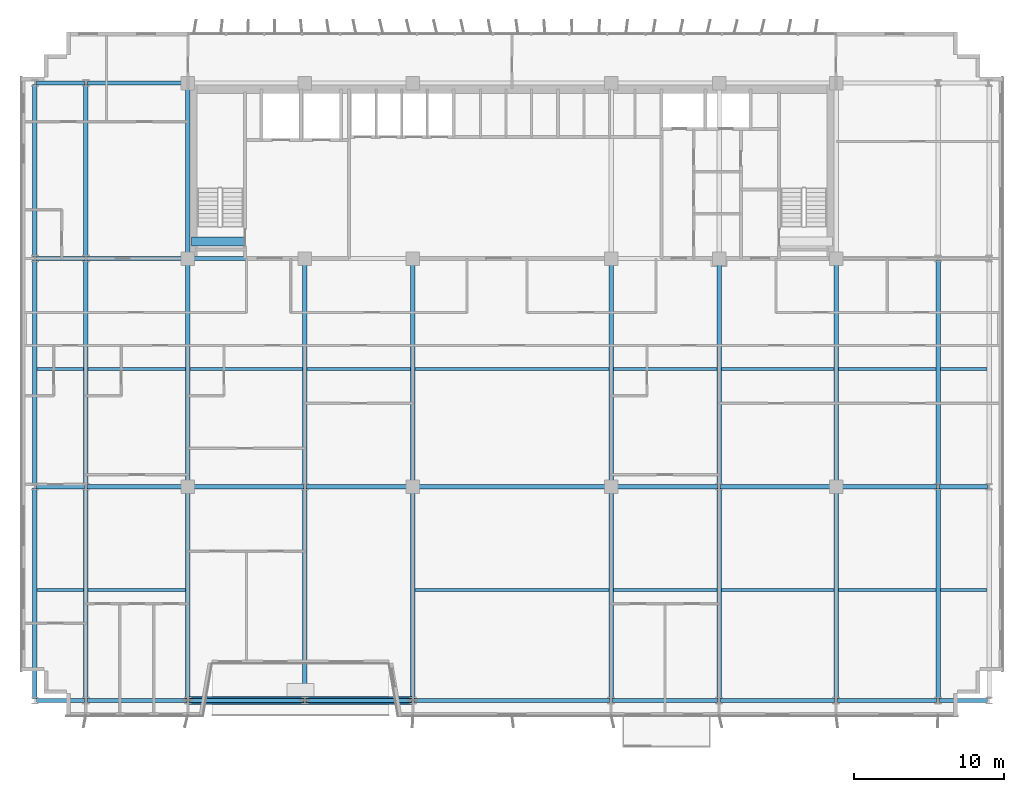
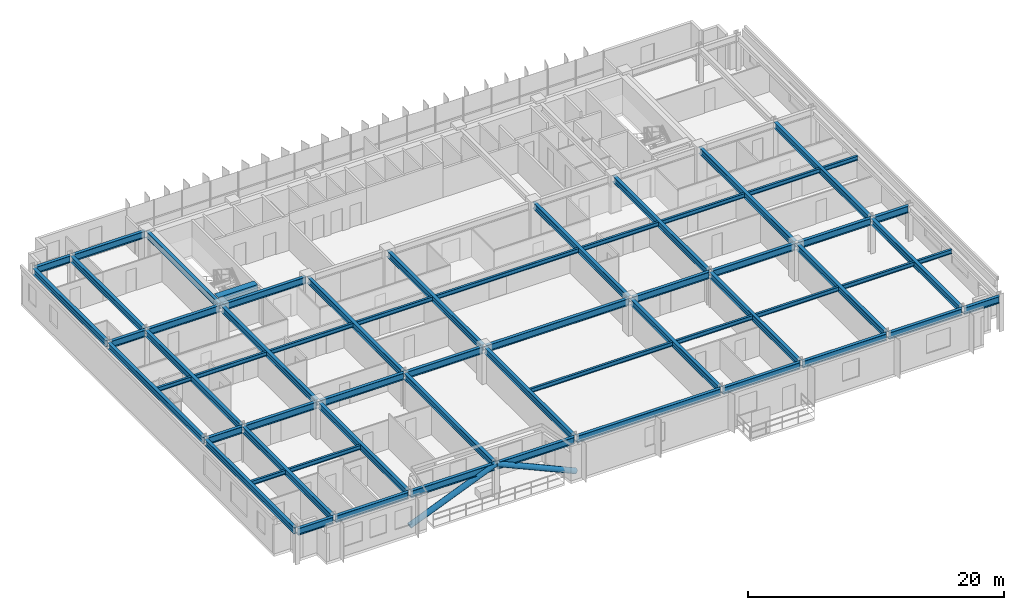
# One storey, part 4 of 23: 61 beams, 2 members.
"""IFC4 building model written with IfcOpenShell, lengths in metres."""

from ifc_helpers import new_model, si_unit, direction, frame, origin, origin_2d, place, context, subcontext, project, spatial, rectangle, hollow_circle, i_section, extrude, source, transform, mapped, material, material_profile, profile_set, type_object, element, save


model = new_model("IFC4")

# Units and contexts
model_context = context("Model", 3, precision=1e-05, world=origin(), true_north=direction((0.0, 1.0)))
body_context = subcontext(model_context, "Body", "Model", "MODEL_VIEW")
ifc_project = project(units=[si_unit("LENGTHUNIT", "METRE"), si_unit("AREAUNIT", "SQUARE_METRE"), si_unit("VOLUMEUNIT", "CUBIC_METRE"), si_unit("PLANEANGLEUNIT", "RADIAN"), si_unit("MASSUNIT", "GRAM", prefix="KILO")], contexts=[model_context])

# Site, building, storey
site_placement = place(None, origin())
site = spatial("IfcSite", under=ifc_project, at=site_placement, CompositionType="ELEMENT")
building_placement = place(site_placement, origin())
building = spatial("IfcBuilding", under=site, at=building_placement, Name="Trelvane Seafront Commons", CompositionType="ELEMENT")
storey_placement = place(building_placement, frame((0.0, 0.0, 63.10009765625)))
storey = spatial("IfcBuildingStorey", under=building, at=storey_placement, Name="L16", CompositionType="ELEMENT", Elevation=63.10009765625)

# Beams
ifc_material_1 = material(Name="Concrete C60/75", Category="concrete")
ifc_material_profile_1 = material_profile(ifc_material_1, rectangle(XDim=0.60009765625, YDim=0.89990234375, at=origin_2d()), Name="RC-600x900")
ifc_profile_set_1 = profile_set([ifc_material_profile_1], Name="Concrete C60/75")
beam_type_1 = type_object("IfcBeamType", Name="STR-LNT-RC600x900", PredefinedType="LINTEL", material=ifc_profile_set_1)
shared_shape_1 = source(origin(), body_context, "Body", "SweptSolid", [
    extrude(rectangle(XDim=0.60009765625, YDim=0.89990234375, at=origin_2d()), origin(), (0.0, 0.0, 1.0), 3.5498046875),
])
beam_1_placement = place(storey_placement, frame((15.85009765625, 34.550048828125, 2.889892578125), z_axis=(1.0, 0.0, 0.0), x_axis=(0.0, 1.0, 0.0)))
element("IfcBeam", 1, at=beam_1_placement, inside=storey, type_object=beam_type_1, Name="L16 Core Coupling Lintel Beam CB-83", PredefinedType="LINTEL", context=body_context, shape_type="MappedRepresentation", body=[
    mapped(shared_shape_1, transform((0.0, 0.0, 0.0), x_axis=(1.0, 0.0, 0.0), y_axis=(0.0, 1.0, 0.0), z_axis=(0.0, 0.0, 1.0), scale=1.0)),
])
ifc_material_2 = material(Name="Steel SM355 (S355)", Category="steel")
ifc_material_profile_2 = material_profile(ifc_material_2, i_section(OverallWidth=0.280029296875, OverallDepth=0.64990234375, WebThickness=0.012939453125, FlangeThickness=0.02197265625, at=origin_2d()), Name="H-650x280x13x22")
ifc_profile_set_2 = profile_set([ifc_material_profile_2], Name="Steel SM355 (S355)")
beam_type_2 = type_object("IfcBeamType", Name="STR-BM-H650", PredefinedType="BEAM", material=ifc_profile_set_2)
shared_shape_2 = source(origin(), body_context, "Body", "SweptSolid", [
    extrude(i_section(OverallWidth=0.280029296875, OverallDepth=0.64990234375, WebThickness=0.012939453125, FlangeThickness=0.02197265625, at=origin_2d()), origin(), (0.0, 0.0, 1.0), 3.190185546875),
])
for number, where, z_axis, x_axis, name in (
    (2, (5.5048828125, 3.949951171875, 3.014892578125), (1.0, 0.0, 0.0), (0.0, 1.0, 0.0), "L16 Primary Girder G-01"),
    (3, (5.5048828125, 18.199951171875, 3.014892578125), (1.0, 0.0, 0.0), (0.0, 1.0, 0.0), "L16 Primary Girder G-10"),
    (4, (5.5048828125, 33.39990234375, 3.014892578125), (1.0, 0.0, 0.0), (0.0, 1.0, 0.0), "L16 Primary Girder G-19"),
    (5, (5.5048828125, 45.10009765625, 3.014892578125), (1.0, 0.0, 0.0), (0.0, 1.0, 0.0), "L16 Primary Girder G-28"),
):
    element("IfcBeam", number, at=place(storey_placement, frame(where, z_axis=z_axis, x_axis=x_axis)), inside=storey, type_object=beam_type_2, Name=name, PredefinedType="BEAM", context=body_context, shape_type="MappedRepresentation", body=[
        mapped(shared_shape_2, transform((0.0, 0.0, 0.0), x_axis=(1.0, 0.0, 0.0), y_axis=(0.0, 1.0, 0.0), z_axis=(0.0, 0.0, 1.0), scale=1.0)),
    ])
shared_shape_3 = source(origin(), body_context, "Body", "SweptSolid", [
    extrude(i_section(OverallWidth=0.280029296875, OverallDepth=0.64990234375, WebThickness=0.012939453125, FlangeThickness=0.02197265625, at=origin_2d()), origin(), (0.0, 0.0, 1.0), 6.590087890625),
])
for number, where, z_axis, x_axis, name in (
    (6, (8.905029296875, 3.949951171875, 3.014892578125), (1.0, 0.0, 0.0), (0.0, 1.0, 0.0), "L16 Primary Girder G-02"),
    (7, (58.905029296875, 3.949951171875, 3.014892578125), (1.0, 0.0, 0.0), (0.0, 1.0, 0.0), "L16 Primary Girder G-08"),
):
    element("IfcBeam", number, at=place(storey_placement, frame(where, z_axis=z_axis, x_axis=x_axis)), inside=storey, type_object=beam_type_2, Name=name, PredefinedType="BEAM", context=body_context, shape_type="MappedRepresentation", body=[
        mapped(shared_shape_3, transform((0.0, 0.0, 0.0), x_axis=(1.0, 0.0, 0.0), y_axis=(0.0, 1.0, 0.0), z_axis=(0.0, 0.0, 1.0), scale=1.0)),
    ])
shared_shape_4 = source(origin(), body_context, "Body", "SweptSolid", [
    extrude(i_section(OverallWidth=0.280029296875, OverallDepth=0.64990234375, WebThickness=0.012939453125, FlangeThickness=0.02197265625, at=origin_2d()), origin(), (0.0, 0.0, 1.0), 7.58984375),
])
beam_2_placement = place(storey_placement, frame((15.705078125, 3.949951171875, 3.014892578125), z_axis=(1.0, 0.0, 0.0), x_axis=(0.0, 1.0, 0.0)))
element("IfcBeam", 8, at=beam_2_placement, inside=storey, type_object=beam_type_2, Name="L16 Primary Girder G-03", PredefinedType="BEAM", context=body_context, shape_type="MappedRepresentation", body=[
    mapped(shared_shape_4, transform((0.0, 0.0, 0.0), x_axis=(1.0, 0.0, 0.0), y_axis=(0.0, 1.0, 0.0), z_axis=(0.0, 0.0, 1.0), scale=1.0)),
])
shared_shape_5 = source(origin(), body_context, "Body", "SweptSolid", [
    extrude(i_section(OverallWidth=0.280029296875, OverallDepth=0.64990234375, WebThickness=0.012939453125, FlangeThickness=0.02197265625, at=origin_2d()), origin(), (0.0, 0.0, 1.0), 6.990234375),
])
beam_3_placement = place(storey_placement, frame((23.5048828125, 3.949951171875, 3.014892578125), z_axis=(1.0, 0.0, 0.0), x_axis=(0.0, 1.0, 0.0)))
element("IfcBeam", 9, at=beam_3_placement, inside=storey, type_object=beam_type_2, Name="L16 Primary Girder G-04", PredefinedType="BEAM", context=body_context, shape_type="MappedRepresentation", body=[
    mapped(shared_shape_5, transform((0.0, 0.0, 0.0), x_axis=(1.0, 0.0, 0.0), y_axis=(0.0, 1.0, 0.0), z_axis=(0.0, 0.0, 1.0), scale=1.0)),
])
shared_shape_6 = source(origin(), body_context, "Body", "SweptSolid", [
    extrude(i_section(OverallWidth=0.280029296875, OverallDepth=0.64990234375, WebThickness=0.012939453125, FlangeThickness=0.02197265625, at=origin_2d()), origin(), (0.0, 0.0, 1.0), 12.989990234375),
])
beam_4_placement = place(storey_placement, frame((30.705078125, 3.949951171875, 3.014892578125), z_axis=(1.0, 0.0, 0.0), x_axis=(0.0, 1.0, 0.0)))
element("IfcBeam", 10, at=beam_4_placement, inside=storey, type_object=beam_type_2, Name="L16 Primary Girder G-05", PredefinedType="BEAM", context=body_context, shape_type="MappedRepresentation", body=[
    mapped(shared_shape_6, transform((0.0, 0.0, 0.0), x_axis=(1.0, 0.0, 0.0), y_axis=(0.0, 1.0, 0.0), z_axis=(0.0, 0.0, 1.0), scale=1.0)),
])
shared_shape_7 = source(origin(), body_context, "Body", "SweptSolid", [
    extrude(i_section(OverallWidth=0.280029296875, OverallDepth=0.64990234375, WebThickness=0.012939453125, FlangeThickness=0.02197265625, at=origin_2d()), origin(), (0.0, 0.0, 1.0), 6.989990234375),
])
beam_5_placement = place(storey_placement, frame((43.905029296875, 3.949951171875, 3.014892578125), z_axis=(1.0, 0.0, 0.0), x_axis=(0.0, 1.0, 0.0)))
element("IfcBeam", 11, at=beam_5_placement, inside=storey, type_object=beam_type_2, Name="L16 Primary Girder G-06", PredefinedType="BEAM", context=body_context, shape_type="MappedRepresentation", body=[
    mapped(shared_shape_7, transform((0.0, 0.0, 0.0), x_axis=(1.0, 0.0, 0.0), y_axis=(0.0, 1.0, 0.0), z_axis=(0.0, 0.0, 1.0), scale=1.0)),
])
shared_shape_8 = source(origin(), body_context, "Body", "SweptSolid", [
    extrude(i_section(OverallWidth=0.280029296875, OverallDepth=0.64990234375, WebThickness=0.012939453125, FlangeThickness=0.02197265625, at=origin_2d()), origin(), (0.0, 0.0, 1.0), 7.590087890625),
])
beam_6_placement = place(storey_placement, frame((51.10498046875, 3.949951171875, 3.014892578125), z_axis=(1.0, 0.0, 0.0), x_axis=(0.0, 1.0, 0.0)))
element("IfcBeam", 12, at=beam_6_placement, inside=storey, type_object=beam_type_2, Name="L16 Primary Girder G-07", PredefinedType="BEAM", context=body_context, shape_type="MappedRepresentation", body=[
    mapped(shared_shape_8, transform((0.0, 0.0, 0.0), x_axis=(1.0, 0.0, 0.0), y_axis=(0.0, 1.0, 0.0), z_axis=(0.0, 0.0, 1.0), scale=1.0)),
])
shared_shape_9 = source(origin(), body_context, "Body", "SweptSolid", [
    extrude(i_section(OverallWidth=0.280029296875, OverallDepth=0.64990234375, WebThickness=0.012939453125, FlangeThickness=0.02197265625, at=origin_2d()), origin(), (0.0, 0.0, 1.0), 3.18994140625),
])
for number, where, z_axis, x_axis, name in (
    (13, (65.705078125, 3.949951171875, 3.014892578125), (1.0, 0.0, 0.0), (0.0, 1.0, 0.0), "L16 Primary Girder G-09"),
    (14, (65.705078125, 18.199951171875, 3.014892578125), (1.0, 0.0, 0.0), (0.0, 1.0, 0.0), "L16 Primary Girder G-18"),
):
    element("IfcBeam", number, at=place(storey_placement, frame(where, z_axis=z_axis, x_axis=x_axis)), inside=storey, type_object=beam_type_2, Name=name, PredefinedType="BEAM", context=body_context, shape_type="MappedRepresentation", body=[
        mapped(shared_shape_9, transform((0.0, 0.0, 0.0), x_axis=(1.0, 0.0, 0.0), y_axis=(0.0, 1.0, 0.0), z_axis=(0.0, 0.0, 1.0), scale=1.0)),
    ])
shared_shape_10 = source(origin(), body_context, "Body", "SweptSolid", [
    extrude(i_section(OverallWidth=0.280029296875, OverallDepth=0.64990234375, WebThickness=0.012939453125, FlangeThickness=0.02197265625, at=origin_2d()), origin(), (0.0, 0.0, 1.0), 6.544921875),
])
for number, where, z_axis, x_axis, name in (
    (15, (8.905029296875, 18.199951171875, 3.014892578125), (1.0, 0.0, 0.0), (0.0, 1.0, 0.0), "L16 Primary Girder G-11"),
    (16, (8.905029296875, 33.39990234375, 3.014892578125), (1.0, 0.0, 0.0), (0.0, 1.0, 0.0), "L16 Primary Girder G-20"),
    (17, (8.905029296875, 45.10009765625, 3.014892578125), (1.0, 0.0, 0.0), (0.0, 1.0, 0.0), "L16 Primary Girder G-29"),
):
    element("IfcBeam", number, at=place(storey_placement, frame(where, z_axis=z_axis, x_axis=x_axis)), inside=storey, type_object=beam_type_2, Name=name, PredefinedType="BEAM", context=body_context, shape_type="MappedRepresentation", body=[
        mapped(shared_shape_10, transform((0.0, 0.0, 0.0), x_axis=(1.0, 0.0, 0.0), y_axis=(0.0, 1.0, 0.0), z_axis=(0.0, 0.0, 1.0), scale=1.0)),
    ])
shared_shape_11 = source(origin(), body_context, "Body", "SweptSolid", [
    extrude(i_section(OverallWidth=0.280029296875, OverallDepth=0.64990234375, WebThickness=0.012939453125, FlangeThickness=0.02197265625, at=origin_2d()), origin(), (0.0, 0.0, 1.0), 7.544921875),
])
for number, where, z_axis, x_axis, name in (
    (18, (15.75, 18.199951171875, 3.014892578125), (1.0, 0.0, 0.0), (0.0, 1.0, 0.0), "L16 Primary Girder G-12"),
    (19, (51.10498046875, 18.199951171875, 3.014892578125), (1.0, 0.0, 0.0), (0.0, 1.0, 0.0), "L16 Primary Girder G-16"),
):
    element("IfcBeam", number, at=place(storey_placement, frame(where, z_axis=z_axis, x_axis=x_axis)), inside=storey, type_object=beam_type_2, Name=name, PredefinedType="BEAM", context=body_context, shape_type="MappedRepresentation", body=[
        mapped(shared_shape_11, transform((0.0, 0.0, 0.0), x_axis=(1.0, 0.0, 0.0), y_axis=(0.0, 1.0, 0.0), z_axis=(0.0, 0.0, 1.0), scale=1.0)),
    ])
shared_shape_12 = source(origin(), body_context, "Body", "SweptSolid", [
    extrude(i_section(OverallWidth=0.280029296875, OverallDepth=0.64990234375, WebThickness=0.012939453125, FlangeThickness=0.02197265625, at=origin_2d()), origin(), (0.0, 0.0, 1.0), 6.945068359375),
])
for number, where, z_axis, x_axis, name in (
    (20, (23.5048828125, 18.199951171875, 3.014892578125), (1.0, 0.0, 0.0), (0.0, 1.0, 0.0), "L16 Primary Girder G-13"),
    (21, (43.949951171875, 18.199951171875, 3.014892578125), (1.0, 0.0, 0.0), (0.0, 1.0, 0.0), "L16 Primary Girder G-15"),
):
    element("IfcBeam", number, at=place(storey_placement, frame(where, z_axis=z_axis, x_axis=x_axis)), inside=storey, type_object=beam_type_2, Name=name, PredefinedType="BEAM", context=body_context, shape_type="MappedRepresentation", body=[
        mapped(shared_shape_12, transform((0.0, 0.0, 0.0), x_axis=(1.0, 0.0, 0.0), y_axis=(0.0, 1.0, 0.0), z_axis=(0.0, 0.0, 1.0), scale=1.0)),
    ])
shared_shape_13 = source(origin(), body_context, "Body", "SweptSolid", [
    extrude(i_section(OverallWidth=0.280029296875, OverallDepth=0.64990234375, WebThickness=0.012939453125, FlangeThickness=0.02197265625, at=origin_2d()), origin(), (0.0, 0.0, 1.0), 12.89990234375),
])
beam_7_placement = place(storey_placement, frame((30.75, 18.199951171875, 3.014892578125), z_axis=(1.0, 0.0, 0.0), x_axis=(0.0, 1.0, 0.0)))
element("IfcBeam", 22, at=beam_7_placement, inside=storey, type_object=beam_type_2, Name="L16 Primary Girder G-14", PredefinedType="BEAM", context=body_context, shape_type="MappedRepresentation", body=[
    mapped(shared_shape_13, transform((0.0, 0.0, 0.0), x_axis=(1.0, 0.0, 0.0), y_axis=(0.0, 1.0, 0.0), z_axis=(0.0, 0.0, 1.0), scale=1.0)),
])
shared_shape_14 = source(origin(), body_context, "Body", "SweptSolid", [
    extrude(i_section(OverallWidth=0.280029296875, OverallDepth=0.64990234375, WebThickness=0.012939453125, FlangeThickness=0.02197265625, at=origin_2d()), origin(), (0.0, 0.0, 1.0), 6.545166015625),
])
beam_8_placement = place(storey_placement, frame((58.949951171875, 18.199951171875, 3.014892578125), z_axis=(1.0, 0.0, 0.0), x_axis=(0.0, 1.0, 0.0)))
element("IfcBeam", 23, at=beam_8_placement, inside=storey, type_object=beam_type_2, Name="L16 Primary Girder G-17", PredefinedType="BEAM", context=body_context, shape_type="MappedRepresentation", body=[
    mapped(shared_shape_14, transform((0.0, 0.0, 0.0), x_axis=(1.0, 0.0, 0.0), y_axis=(0.0, 1.0, 0.0), z_axis=(0.0, 0.0, 1.0), scale=1.0)),
])
shared_shape_15 = source(origin(), body_context, "Body", "SweptSolid", [
    extrude(i_section(OverallWidth=0.280029296875, OverallDepth=0.64990234375, WebThickness=0.012939453125, FlangeThickness=0.02197265625, at=origin_2d()), origin(), (0.0, 0.0, 1.0), 7.5),
])
beam_9_placement = place(storey_placement, frame((15.75, 33.39990234375, 3.014892578125), z_axis=(1.0, 0.0, 0.0), x_axis=(0.0, 1.0, 0.0)))
element("IfcBeam", 24, at=beam_9_placement, inside=storey, type_object=beam_type_2, Name="L16 Primary Girder G-21", PredefinedType="BEAM", context=body_context, shape_type="MappedRepresentation", body=[
    mapped(shared_shape_15, transform((0.0, 0.0, 0.0), x_axis=(1.0, 0.0, 0.0), y_axis=(0.0, 1.0, 0.0), z_axis=(0.0, 0.0, 1.0), scale=1.0)),
])
ifc_material_profile_3 = material_profile(ifc_material_2, i_section(OverallWidth=0.300048828125, OverallDepth=0.587890625, WebThickness=0.011962890625, FlangeThickness=0.02001953125, at=origin_2d()), Name="H-588x300x12x20")
ifc_profile_set_3 = profile_set([ifc_material_profile_3], Name="Steel SM355 (S355)")
beam_type_3 = type_object("IfcBeamType", Name="STR-BM-H588", PredefinedType="BEAM", material=ifc_profile_set_3)
shared_shape_16 = source(origin(), body_context, "Body", "SweptSolid", [
    extrude(i_section(OverallWidth=0.300048828125, OverallDepth=0.587890625, WebThickness=0.011962890625, FlangeThickness=0.02001953125, at=origin_2d()), origin(), (0.0, 0.0, 1.0), 14.0400390625),
])
for number, where, z_axis, x_axis, name in (
    (25, (5.39990234375, 4.054931640625, 3.0458984375), (0.0, 1.0, 0.0), (-1.0, 0.0, 0.0), "L16 Primary Girder G-37"),
    (26, (8.800048828125, 4.054931640625, 3.0458984375), (0.0, 1.0, 0.0), (-1.0, 0.0, 0.0), "L16 Primary Girder G-40"),
    (27, (23.39990234375, 4.054931640625, 3.0458984375), (0.0, 1.0, 0.0), (-1.0, 0.0, 0.0), "L16 Primary Girder G-46"),
    (28, (51.0, 4.054931640625, 3.0458984375), (0.0, 1.0, 0.0), (-1.0, 0.0, 0.0), "L16 Primary Girder G-55"),
    (29, (65.60009765625, 4.054931640625, 3.0458984375), (0.0, 1.0, 0.0), (-1.0, 0.0, 0.0), "L16 Primary Girder G-61"),
):
    element("IfcBeam", number, at=place(storey_placement, frame(where, z_axis=z_axis, x_axis=x_axis)), inside=storey, type_object=beam_type_3, Name=name, PredefinedType="BEAM", context=body_context, shape_type="MappedRepresentation", body=[
        mapped(shared_shape_16, transform((0.0, 0.0, 0.0), x_axis=(1.0, 0.0, 0.0), y_axis=(0.0, 1.0, 0.0), z_axis=(0.0, 0.0, 1.0), scale=1.0)),
    ])
shared_shape_17 = source(origin(), body_context, "Body", "SweptSolid", [
    extrude(i_section(OverallWidth=0.300048828125, OverallDepth=0.587890625, WebThickness=0.011962890625, FlangeThickness=0.02001953125, at=origin_2d()), origin(), (0.0, 0.0, 1.0), 14.989990234375),
])
for number, where, z_axis, x_axis, name in (
    (30, (5.39990234375, 18.304931640625, 3.0458984375), (0.0, 1.0, 0.0), (-1.0, 0.0, 0.0), "L16 Primary Girder G-38"),
    (31, (8.800048828125, 18.304931640625, 3.0458984375), (0.0, 1.0, 0.0), (-1.0, 0.0, 0.0), "L16 Primary Girder G-41"),
    (32, (65.60009765625, 18.304931640625, 3.0458984375), (0.0, 1.0, 0.0), (-1.0, 0.0, 0.0), "L16 Primary Girder G-62"),
):
    element("IfcBeam", number, at=place(storey_placement, frame(where, z_axis=z_axis, x_axis=x_axis)), inside=storey, type_object=beam_type_3, Name=name, PredefinedType="BEAM", context=body_context, shape_type="MappedRepresentation", body=[
        mapped(shared_shape_17, transform((0.0, 0.0, 0.0), x_axis=(1.0, 0.0, 0.0), y_axis=(0.0, 1.0, 0.0), z_axis=(0.0, 0.0, 1.0), scale=1.0)),
    ])
shared_shape_18 = source(origin(), body_context, "Body", "SweptSolid", [
    extrude(i_section(OverallWidth=0.300048828125, OverallDepth=0.587890625, WebThickness=0.011962890625, FlangeThickness=0.02001953125, at=origin_2d()), origin(), (0.0, 0.0, 1.0), 11.490234375),
])
for number, where, z_axis, x_axis, name in (
    (33, (5.39990234375, 33.5048828125, 3.0458984375), (0.0, 1.0, 0.0), (-1.0, 0.0, 0.0), "L16 Primary Girder G-39"),
    (34, (8.800048828125, 33.5048828125, 3.0458984375), (0.0, 1.0, 0.0), (-1.0, 0.0, 0.0), "L16 Primary Girder G-42"),
):
    element("IfcBeam", number, at=place(storey_placement, frame(where, z_axis=z_axis, x_axis=x_axis)), inside=storey, type_object=beam_type_3, Name=name, PredefinedType="BEAM", context=body_context, shape_type="MappedRepresentation", body=[
        mapped(shared_shape_18, transform((0.0, 0.0, 0.0), x_axis=(1.0, 0.0, 0.0), y_axis=(0.0, 1.0, 0.0), z_axis=(0.0, 0.0, 1.0), scale=1.0)),
    ])
shared_shape_19 = source(origin(), body_context, "Body", "SweptSolid", [
    extrude(i_section(OverallWidth=0.300048828125, OverallDepth=0.587890625, WebThickness=0.011962890625, FlangeThickness=0.02001953125, at=origin_2d()), origin(), (0.0, 0.0, 1.0), 13.9951171875),
])
for number, where, z_axis, x_axis, name in (
    (35, (15.60009765625, 4.054931640625, 3.0458984375), (0.0, 1.0, 0.0), (-1.0, 0.0, 0.0), "L16 Primary Girder G-43"),
    (36, (30.60009765625, 4.054931640625, 3.0458984375), (0.0, 1.0, 0.0), (-1.0, 0.0, 0.0), "L16 Primary Girder G-49"),
    (37, (43.800048828125, 4.054931640625, 3.0458984375), (0.0, 1.0, 0.0), (-1.0, 0.0, 0.0), "L16 Primary Girder G-52"),
    (38, (58.800048828125, 4.054931640625, 3.0458984375), (0.0, 1.0, 0.0), (-1.0, 0.0, 0.0), "L16 Primary Girder G-58"),
):
    element("IfcBeam", number, at=place(storey_placement, frame(where, z_axis=z_axis, x_axis=x_axis)), inside=storey, type_object=beam_type_3, Name=name, PredefinedType="BEAM", context=body_context, shape_type="MappedRepresentation", body=[
        mapped(shared_shape_19, transform((0.0, 0.0, 0.0), x_axis=(1.0, 0.0, 0.0), y_axis=(0.0, 1.0, 0.0), z_axis=(0.0, 0.0, 1.0), scale=1.0)),
    ])
shared_shape_20 = source(origin(), body_context, "Body", "SweptSolid", [
    extrude(i_section(OverallWidth=0.300048828125, OverallDepth=0.587890625, WebThickness=0.011962890625, FlangeThickness=0.02001953125, at=origin_2d()), origin(), (0.0, 0.0, 1.0), 14.89990234375),
])
for number, where, z_axis, x_axis, name in (
    (39, (15.60009765625, 18.35009765625, 3.0458984375), (0.0, 1.0, 0.0), (-1.0, 0.0, 0.0), "L16 Primary Girder G-44"),
    (40, (30.60009765625, 18.35009765625, 3.0458984375), (0.0, 1.0, 0.0), (-1.0, 0.0, 0.0), "L16 Primary Girder G-50"),
    (41, (43.800048828125, 18.35009765625, 3.0458984375), (0.0, 1.0, 0.0), (-1.0, 0.0, 0.0), "L16 Primary Girder G-53"),
    (42, (58.800048828125, 18.35009765625, 3.0458984375), (0.0, 1.0, 0.0), (-1.0, 0.0, 0.0), "L16 Primary Girder G-59"),
):
    element("IfcBeam", number, at=place(storey_placement, frame(where, z_axis=z_axis, x_axis=x_axis)), inside=storey, type_object=beam_type_3, Name=name, PredefinedType="BEAM", context=body_context, shape_type="MappedRepresentation", body=[
        mapped(shared_shape_20, transform((0.0, 0.0, 0.0), x_axis=(1.0, 0.0, 0.0), y_axis=(0.0, 1.0, 0.0), z_axis=(0.0, 0.0, 1.0), scale=1.0)),
    ])
shared_shape_21 = source(origin(), body_context, "Body", "SweptSolid", [
    extrude(i_section(OverallWidth=0.300048828125, OverallDepth=0.587890625, WebThickness=0.011962890625, FlangeThickness=0.02001953125, at=origin_2d()), origin(), (0.0, 0.0, 1.0), 11.39990234375),
])
beam_10_placement = place(storey_placement, frame((15.60009765625, 33.550048828125, 3.0458984375), z_axis=(0.0, 1.0, 0.0), x_axis=(-1.0, 0.0, 0.0)))
element("IfcBeam", 43, at=beam_10_placement, inside=storey, type_object=beam_type_3, Name="L16 Primary Girder G-45", PredefinedType="BEAM", context=body_context, shape_type="MappedRepresentation", body=[
    mapped(shared_shape_21, transform((0.0, 0.0, 0.0), x_axis=(1.0, 0.0, 0.0), y_axis=(0.0, 1.0, 0.0), z_axis=(0.0, 0.0, 1.0), scale=1.0)),
])
shared_shape_22 = source(origin(), body_context, "Body", "SweptSolid", [
    extrude(i_section(OverallWidth=0.300048828125, OverallDepth=0.587890625, WebThickness=0.011962890625, FlangeThickness=0.02001953125, at=origin_2d()), origin(), (0.0, 0.0, 1.0), 14.945068359375),
])
for number, where, z_axis, x_axis, name in (
    (44, (23.39990234375, 18.304931640625, 3.0458984375), (0.0, 1.0, 0.0), (-1.0, 0.0, 0.0), "L16 Primary Girder G-47"),
    (45, (51.0, 18.304931640625, 3.0458984375), (0.0, 1.0, 0.0), (-1.0, 0.0, 0.0), "L16 Primary Girder G-56"),
):
    element("IfcBeam", number, at=place(storey_placement, frame(where, z_axis=z_axis, x_axis=x_axis)), inside=storey, type_object=beam_type_3, Name=name, PredefinedType="BEAM", context=body_context, shape_type="MappedRepresentation", body=[
        mapped(shared_shape_22, transform((0.0, 0.0, 0.0), x_axis=(1.0, 0.0, 0.0), y_axis=(0.0, 1.0, 0.0), z_axis=(0.0, 0.0, 1.0), scale=1.0)),
    ])
ifc_material_profile_4 = material_profile(ifc_material_2, i_section(OverallWidth=0.199951171875, OverallDepth=0.39990234375, WebThickness=0.008056640625, FlangeThickness=0.012939453125, at=origin_2d()), Name="H-400x200x8x13")
ifc_profile_set_4 = profile_set([ifc_material_profile_4], Name="Steel SM355 (S355)")
beam_type_4 = type_object("IfcBeamType", Name="STR-JST-H400", PredefinedType="JOIST", material=ifc_profile_set_4)
shared_shape_23 = source(origin(), body_context, "Body", "SweptSolid", [
    extrude(i_section(OverallWidth=0.199951171875, OverallDepth=0.39990234375, WebThickness=0.008056640625, FlangeThickness=0.012939453125, at=origin_2d()), origin(), (0.0, 0.0, 1.0), 3.099853515625),
])
for number, where, z_axis, x_axis, name in (
    (46, (5.550048828125, 11.324951171875, 3.139892578125), (1.0, 0.0, 0.0), (0.0, 1.0, 0.0), "L16 Secondary Floor Joist B-67"),
    (47, (5.550048828125, 26.050048828125, 3.139892578125), (1.0, 0.0, 0.0), (0.0, 1.0, 0.0), "L16 Secondary Floor Joist B-74"),
):
    element("IfcBeam", number, at=place(storey_placement, frame(where, z_axis=z_axis, x_axis=x_axis)), inside=storey, type_object=beam_type_4, Name=name, PredefinedType="JOIST", context=body_context, shape_type="MappedRepresentation", body=[
        mapped(shared_shape_23, transform((0.0, 0.0, 0.0), x_axis=(1.0, 0.0, 0.0), y_axis=(0.0, 1.0, 0.0), z_axis=(0.0, 0.0, 1.0), scale=1.0)),
    ])
shared_shape_24 = source(origin(), body_context, "Body", "SweptSolid", [
    extrude(i_section(OverallWidth=0.199951171875, OverallDepth=0.39990234375, WebThickness=0.008056640625, FlangeThickness=0.012939453125, at=origin_2d()), origin(), (0.0, 0.0, 1.0), 6.5),
])
for number, where, z_axis, x_axis, name in (
    (48, (8.949951171875, 11.324951171875, 3.139892578125), (1.0, 0.0, 0.0), (0.0, 1.0, 0.0), "L16 Secondary Floor Joist B-68"),
    (49, (58.949951171875, 11.324951171875, 3.139892578125), (1.0, 0.0, 0.0), (0.0, 1.0, 0.0), "L16 Secondary Floor Joist B-72"),
    (50, (8.949951171875, 26.050048828125, 3.139892578125), (1.0, 0.0, 0.0), (0.0, 1.0, 0.0), "L16 Secondary Floor Joist B-75"),
    (51, (58.949951171875, 26.050048828125, 3.139892578125), (1.0, 0.0, 0.0), (0.0, 1.0, 0.0), "L16 Secondary Floor Joist B-81"),
):
    element("IfcBeam", number, at=place(storey_placement, frame(where, z_axis=z_axis, x_axis=x_axis)), inside=storey, type_object=beam_type_4, Name=name, PredefinedType="JOIST", context=body_context, shape_type="MappedRepresentation", body=[
        mapped(shared_shape_24, transform((0.0, 0.0, 0.0), x_axis=(1.0, 0.0, 0.0), y_axis=(0.0, 1.0, 0.0), z_axis=(0.0, 0.0, 1.0), scale=1.0)),
    ])
shared_shape_25 = source(origin(), body_context, "Body", "SweptSolid", [
    extrude(i_section(OverallWidth=0.199951171875, OverallDepth=0.39990234375, WebThickness=0.008056640625, FlangeThickness=0.012939453125, at=origin_2d()), origin(), (0.0, 0.0, 1.0), 7.5),
])
for number, where, z_axis, x_axis, name in (
    (52, (51.14990234375, 11.324951171875, 3.139892578125), (1.0, 0.0, 0.0), (0.0, 1.0, 0.0), "L16 Secondary Floor Joist B-71"),
    (53, (15.75, 26.050048828125, 3.139892578125), (1.0, 0.0, 0.0), (0.0, 1.0, 0.0), "L16 Secondary Floor Joist B-76"),
    (54, (51.14990234375, 26.050048828125, 3.139892578125), (1.0, 0.0, 0.0), (0.0, 1.0, 0.0), "L16 Secondary Floor Joist B-80"),
):
    element("IfcBeam", number, at=place(storey_placement, frame(where, z_axis=z_axis, x_axis=x_axis)), inside=storey, type_object=beam_type_4, Name=name, PredefinedType="JOIST", context=body_context, shape_type="MappedRepresentation", body=[
        mapped(shared_shape_25, transform((0.0, 0.0, 0.0), x_axis=(1.0, 0.0, 0.0), y_axis=(0.0, 1.0, 0.0), z_axis=(0.0, 0.0, 1.0), scale=1.0)),
    ])
shared_shape_26 = source(origin(), body_context, "Body", "SweptSolid", [
    extrude(i_section(OverallWidth=0.199951171875, OverallDepth=0.39990234375, WebThickness=0.008056640625, FlangeThickness=0.012939453125, at=origin_2d()), origin(), (0.0, 0.0, 1.0), 6.89990234375),
])
beam_11_placement = place(storey_placement, frame((23.550048828125, 26.050048828125, 3.139892578125), z_axis=(1.0, 0.0, 0.0), x_axis=(0.0, 1.0, 0.0)))
element("IfcBeam", 55, at=beam_11_placement, inside=storey, type_object=beam_type_4, Name="L16 Secondary Floor Joist B-77", PredefinedType="JOIST", context=body_context, shape_type="MappedRepresentation", body=[
    mapped(shared_shape_26, transform((0.0, 0.0, 0.0), x_axis=(1.0, 0.0, 0.0), y_axis=(0.0, 1.0, 0.0), z_axis=(0.0, 0.0, 1.0), scale=1.0)),
])
shared_shape_27 = source(origin(), body_context, "Body", "SweptSolid", [
    extrude(i_section(OverallWidth=0.199951171875, OverallDepth=0.39990234375, WebThickness=0.008056640625, FlangeThickness=0.012939453125, at=origin_2d()), origin(), (0.0, 0.0, 1.0), 12.89990234375),
])
for number, where, z_axis, x_axis, name in (
    (56, (30.75, 11.324951171875, 3.139892578125), (1.0, 0.0, 0.0), (0.0, 1.0, 0.0), "L16 Secondary Floor Joist B-69"),
    (57, (30.75, 26.050048828125, 3.139892578125), (1.0, 0.0, 0.0), (0.0, 1.0, 0.0), "L16 Secondary Floor Joist B-78"),
):
    element("IfcBeam", number, at=place(storey_placement, frame(where, z_axis=z_axis, x_axis=x_axis)), inside=storey, type_object=beam_type_4, Name=name, PredefinedType="JOIST", context=body_context, shape_type="MappedRepresentation", body=[
        mapped(shared_shape_27, transform((0.0, 0.0, 0.0), x_axis=(1.0, 0.0, 0.0), y_axis=(0.0, 1.0, 0.0), z_axis=(0.0, 0.0, 1.0), scale=1.0)),
    ])
shared_shape_28 = source(origin(), body_context, "Body", "SweptSolid", [
    extrude(i_section(OverallWidth=0.199951171875, OverallDepth=0.39990234375, WebThickness=0.008056640625, FlangeThickness=0.012939453125, at=origin_2d()), origin(), (0.0, 0.0, 1.0), 6.900146484375),
])
for number, where, z_axis, x_axis, name in (
    (58, (43.949951171875, 11.324951171875, 3.139892578125), (1.0, 0.0, 0.0), (0.0, 1.0, 0.0), "L16 Secondary Floor Joist B-70"),
    (59, (43.949951171875, 26.050048828125, 3.139892578125), (1.0, 0.0, 0.0), (0.0, 1.0, 0.0), "L16 Secondary Floor Joist B-79"),
):
    element("IfcBeam", number, at=place(storey_placement, frame(where, z_axis=z_axis, x_axis=x_axis)), inside=storey, type_object=beam_type_4, Name=name, PredefinedType="JOIST", context=body_context, shape_type="MappedRepresentation", body=[
        mapped(shared_shape_28, transform((0.0, 0.0, 0.0), x_axis=(1.0, 0.0, 0.0), y_axis=(0.0, 1.0, 0.0), z_axis=(0.0, 0.0, 1.0), scale=1.0)),
    ])
shared_shape_29 = source(origin(), body_context, "Body", "SweptSolid", [
    extrude(i_section(OverallWidth=0.199951171875, OverallDepth=0.39990234375, WebThickness=0.008056640625, FlangeThickness=0.012939453125, at=origin_2d()), origin(), (0.0, 0.0, 1.0), 3.10009765625),
])
for number, where, z_axis, x_axis, name in (
    (60, (65.75, 11.324951171875, 3.139892578125), (1.0, 0.0, 0.0), (0.0, 1.0, 0.0), "L16 Secondary Floor Joist B-73"),
    (61, (65.75, 26.050048828125, 3.139892578125), (1.0, 0.0, 0.0), (0.0, 1.0, 0.0), "L16 Secondary Floor Joist B-82"),
):
    element("IfcBeam", number, at=place(storey_placement, frame(where, z_axis=z_axis, x_axis=x_axis)), inside=storey, type_object=beam_type_4, Name=name, PredefinedType="JOIST", context=body_context, shape_type="MappedRepresentation", body=[
        mapped(shared_shape_29, transform((0.0, 0.0, 0.0), x_axis=(1.0, 0.0, 0.0), y_axis=(0.0, 1.0, 0.0), z_axis=(0.0, 0.0, 1.0), scale=1.0)),
    ])

# Members
ifc_material_profile_5 = material_profile(ifc_material_2, hollow_circle(Radius=0.25390625, WallThickness=0.02001953125, at=origin_2d()), Name="CHS-508x20")
ifc_profile_set_5 = profile_set([ifc_material_profile_5], Name="Steel SM355 (S355)")
member_type = type_object("IfcMemberType", Name="STR-STR-CHS508", PredefinedType="STRUT", material=ifc_profile_set_5)
shared_shape_30 = source(origin(), body_context, "Body", "SweptSolid", [
    extrude(hollow_circle(Radius=0.25390625, WallThickness=0.02001953125, at=origin_2d()), origin(), (0.0, 0.0, 1.0), 8.438232421875),
])
member_1_placement = place(storey_placement, frame((15.60009765625, 3.949951171875, 0.0), z_axis=(0.924331983769, 0.0, 0.381589286776), x_axis=(0.0, 1.0, 0.0)))
element("IfcMember", 62, at=member_1_placement, inside=storey, type_object=member_type, Name="L16 Sky-Garden V-Chevron Brace SGV-W", PredefinedType="STRUT", context=body_context, shape_type="MappedRepresentation", body=[
    mapped(shared_shape_30, transform((0.0, 0.0, 0.0), x_axis=(1.0, 0.0, 0.0), y_axis=(0.0, 1.0, 0.0), z_axis=(0.0, 0.0, 1.0), scale=1.0)),
])
shared_shape_31 = source(origin(), body_context, "Body", "SweptSolid", [
    extrude(hollow_circle(Radius=0.25390625, WallThickness=0.02001953125, at=origin_2d()), origin(), (0.0, 0.0, 1.0), 7.887451171875),
])
member_2_placement = place(storey_placement, frame((30.60009765625, 3.949951171875, 0.0), z_axis=(-0.912873505731, 0.0, 0.408242529062), x_axis=(0.0, -1.0, 0.0)))
element("IfcMember", 63, at=member_2_placement, inside=storey, type_object=member_type, Name="L16 Sky-Garden V-Chevron Brace SGV-E", PredefinedType="STRUT", context=body_context, shape_type="MappedRepresentation", body=[
    mapped(shared_shape_31, transform((0.0, 0.0, 0.0), x_axis=(1.0, 0.0, 0.0), y_axis=(0.0, 1.0, 0.0), z_axis=(0.0, 0.0, 1.0), scale=1.0)),
])

save(model, "model.ifc")
